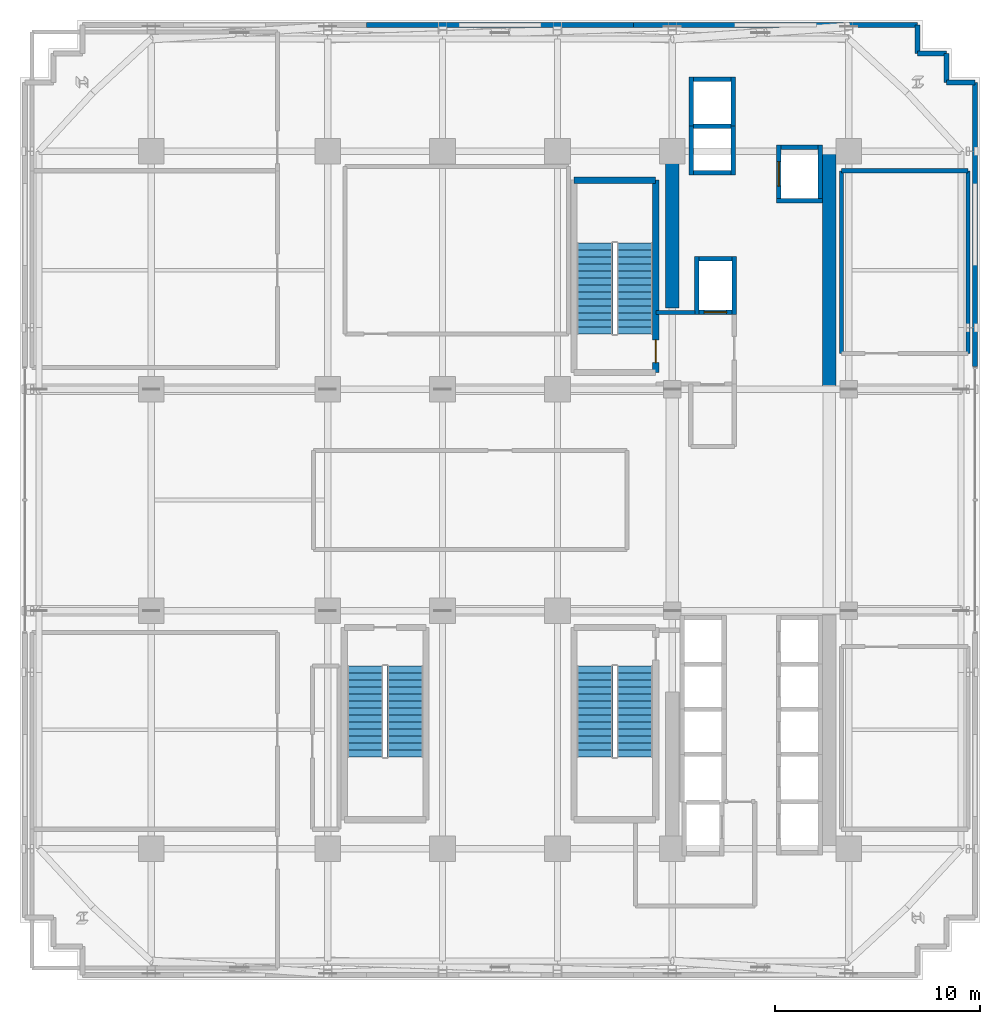
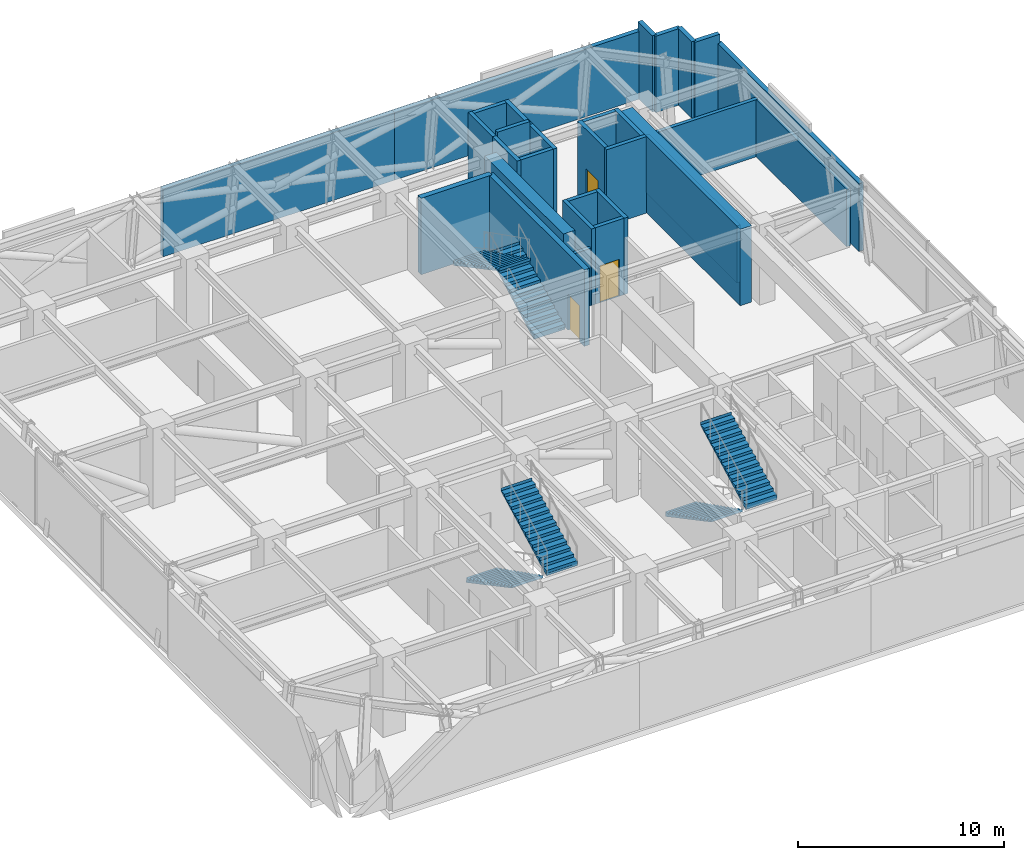
# One storey, part 11 of 15: 30 walls, 6 stair flights, 3 doors, 3 openings, 3 elements without a shape of their own.
"""IFC4 building model written with IfcOpenShell, lengths in metres."""

from ifc_helpers import new_model, si_unit, direction, frame, frame_2d, origin, place, context, subcontext, project, spatial, polyline, rectangle, outline, extrude, source, transform, mapped, material, layer, layer_set, type_object, element, fill, aggregate, save


model = new_model("IFC4")

# Units and contexts
model_context = context("Model", 3, precision=1e-05, world=origin(), true_north=direction((0.0, 1.0)))
body_context = subcontext(model_context, "Body", "Model", "MODEL_VIEW")
ifc_project = project(units=[si_unit("LENGTHUNIT", "METRE"), si_unit("AREAUNIT", "SQUARE_METRE"), si_unit("VOLUMEUNIT", "CUBIC_METRE"), si_unit("PLANEANGLEUNIT", "RADIAN"), si_unit("MASSUNIT", "GRAM", prefix="KILO")], contexts=[model_context])

# Site, building, storey
site_placement = place(None, origin())
site = spatial("IfcSite", under=ifc_project, at=site_placement, CompositionType="ELEMENT")
building_placement = place(site_placement, origin())
building = spatial("IfcBuilding", under=site, at=building_placement, Name="Nahalor Promenade Grand Hotel", CompositionType="ELEMENT")
storey_placement = place(building_placement, frame((0.0, 0.0, 144.199951171875)))
storey = spatial("IfcBuildingStorey", under=building, at=storey_placement, Name="L36", CompositionType="ELEMENT", Elevation=144.199951171875)

# Walls
ifc_material_1 = material(Name="Concrete B-60 (C50/60)", Category="concrete")
ifc_layer_1 = layer(ifc_material_1, 0.64990234375)
ifc_layer_set_1 = layer_set([ifc_layer_1], Name="Concrete B-60 (C50/60)")
wall_type_1 = type_object("IfcWallType", Name="Wall-CoreShear-650", PredefinedType="SHEAR", material=ifc_layer_set_1)
shared_shape_1 = source(origin(), body_context, "Body", "SweptSolid", [
    extrude(rectangle(XDim=7.64990234375, YDim=0.64990234375, at=frame_2d((3.824951171875, 0.0))), origin(), (0.0, 0.0, 1.0), 4.5400390625),
])
wall_1_placement = place(storey_placement, frame((8.39990234375, 9.35009765625, 0.0), z_axis=(0.0, 0.0, 1.0), x_axis=(0.0, 1.0, 0.0)))
element("IfcWall", 1, at=wall_1_placement, inside=storey, type_object=wall_type_1, Name="CWALL-L36-NW", PredefinedType="SHEAR", context=body_context, shape_type="MappedRepresentation", body=[
    mapped(shared_shape_1, transform((0.0, 0.0, 0.0), scale=1.0)),
])
shared_shape_2 = source(origin(), body_context, "Body", "SweptSolid", [
    extrude(rectangle(XDim=11.60009765625, YDim=0.64990234375, at=frame_2d((5.800048828125, 0.0))), origin(), (0.0, 0.0, 1.0), 4.5400390625),
])
wall_2_placement = place(storey_placement, frame((16.050048828125, 5.39990234375, 0.0), z_axis=(0.0, 0.0, 1.0), x_axis=(0.0, 1.0, 0.0)))
element("IfcWall", 2, at=wall_2_placement, inside=storey, type_object=wall_type_1, Name="CWALL-L36-NE", PredefinedType="SHEAR", context=body_context, shape_type="MappedRepresentation", body=[
    mapped(shared_shape_2, transform((0.0, 0.0, 0.0), scale=1.0)),
])
ifc_material_2 = material(Name="Concrete B-50 (C40/50)", Category="concrete")
ifc_layer_2 = layer(ifc_material_2, 0.300048828125)
ifc_layer_set_2 = layer_set([ifc_layer_2], Name="Concrete B-50 (C40/50)")
wall_type_2 = type_object("IfcWallType", Name="Wall-ShaftShear-300", PredefinedType="SHEAR", material=ifc_layer_set_2)
shared_shape_3 = source(origin(), body_context, "Body", "SweptSolid", [
    extrude(rectangle(XDim=3.97998046875, YDim=0.300048828125, at=frame_2d((1.989990234375, 0.0))), origin(), (0.0, 0.0, 1.0), 4.5400390625),
])
wall_3_placement = place(storey_placement, frame((3.610107421875, 15.590087890625, 0.0), z_axis=(0.0, 0.0, 1.0), x_axis=(1.0, 0.0, 0.0)))
element("IfcWall", 3, at=wall_3_placement, inside=storey, type_object=wall_type_2, Name="L36 Exit Stair ST1 Shaft Wall N", PredefinedType="SHEAR", context=body_context, shape_type="MappedRepresentation", body=[
    mapped(shared_shape_3, transform((0.0, 0.0, 0.0), scale=1.0)),
])

# Wall, opening, door
shared_shape_4 = source(origin(), body_context, "Body", "SweptSolid", [
    extrude(rectangle(XDim=9.380126953125, YDim=0.300048828125, at=frame_2d((4.68994140625, 0.0))), origin(), (0.0, 0.0, 1.0), 4.5400390625),
])
wall_4_placement = place(storey_placement, frame((7.590087890625, 6.2099609375, 0.0), z_axis=(0.0, 0.0, 1.0), x_axis=(0.0, 1.0, 0.0)))
wall_4 = element("IfcWall", 4, at=wall_4_placement, inside=storey, type_object=wall_type_2, Name="L36 Exit Stair ST1 Shaft Wall E", PredefinedType="SHEAR", context=body_context, shape_type="MappedRepresentation", body=[
    mapped(shared_shape_4, transform((0.0, 0.0, 0.0), scale=1.0)),
])
opening_1_placement = place(wall_4_placement, frame((0.489990234375, 0.0, 0.0)))
opening_1 = element("IfcOpeningElement", 5, at=opening_1_placement, cuts=wall_4, Name="Opening D-ST1", PredefinedType="OPENING", context=body_context, shape_type="SweptSolid", body=[
    extrude(rectangle(XDim=1.10009765625, YDim=2.14990234375, at=frame_2d((0.550048828125, 1.074951171875))), frame((0.0, 0.159912109375, 0.0), z_axis=(0.0, -1.0, 0.0), x_axis=(1.0, 0.0, 0.0)), (0.0, 0.0, 1.0), 0.320068359375),
])
ifc_material_3 = material(Name="Steel S355JR", Category="steel")
door_type_1 = type_object("IfcDoorType", Name="Door-StairFire-1100", OperationType="NOTDEFINED", PredefinedType="DOOR", material=ifc_material_3)
shared_shape_5 = source(origin(), body_context, "Body", "SweptSolid", [
    extrude(rectangle(XDim=1.10009765625, YDim=2.14990234375, at=frame_2d((0.550048828125, 1.074951171875))), frame((0.0, 0.02490234375, 0.0), z_axis=(0.0, -1.0, 0.0), x_axis=(1.0, 0.0, 0.0)), (0.0, 0.0, 1.0), 0.050048828125),
])
door_1_placement = place(opening_1_placement, origin())
door_1 = element("IfcDoor", 6, at=door_1_placement, inside=storey, type_object=door_type_1, Name="DR-STAIR-ST1-L36", OperationType="SINGLE_SWING_LEFT", OverallHeight=2.14990234375, OverallWidth=1.10009765625, PredefinedType="DOOR", context=body_context, shape_type="MappedRepresentation", body=[
    mapped(shared_shape_5, transform((0.0, 0.0, 0.0), scale=1.0)),
])
fill(opening_1, door_1)

# Walls
ifc_layer_3 = layer(ifc_material_2, 0.219970703125)
ifc_layer_set_3 = layer_set([ifc_layer_3], Name="Concrete B-50 (C40/50)")
wall_type_3 = type_object("IfcWallType", Name="Wall-LiftShaft-220", PredefinedType="SHEAR", material=ifc_layer_set_3)
shared_shape_6 = source(origin(), body_context, "Body", "SweptSolid", [
    extrude(rectangle(XDim=1.820068359375, YDim=0.219970703125, at=frame_2d((0.91015625, 0.0))), origin(), (0.0, 0.0, 1.0), 4.800048828125),
])
wall_5_placement = place(storey_placement, frame((9.43994140625, 18.22509765625, 0.0), z_axis=(0.0, 0.0, 1.0), x_axis=(1.0, 0.0, 0.0)))
element("IfcWall", 7, at=wall_5_placement, inside=storey, type_object=wall_type_3, Name="L36 Lift OB1 Hoistway Wall N", PredefinedType="SHEAR", context=body_context, shape_type="MappedRepresentation", body=[
    mapped(shared_shape_6, transform((0.0, 0.0, 0.0), scale=1.0)),
])
shared_shape_7 = source(origin(), body_context, "Body", "SweptSolid", [
    extrude(rectangle(XDim=1.820068359375, YDim=0.219970703125, at=frame_2d((0.91015625, 0.0))), origin(), (0.0, 0.0, 1.0), 4.5400390625),
])
for number, where, z_axis, x_axis, name in (
    (8, (9.43994140625, 15.949951171875, 0.0), (0.0, 0.0, 1.0), (1.0, 0.0, 0.0), "L36 Lift OB1 Hoistway Wall S"),
    (9, (9.43994140625, 20.5, 0.0), (0.0, 0.0, 1.0), (1.0, 0.0, 0.0), "L36 Lift OB2 Hoistway Wall N"),
    (10, (13.68994140625, 17.199951171875, 0.0), (0.0, 0.0, 1.0), (1.0, 0.0, 0.0), "L36 Lift SV1 Hoistway Wall N"),
):
    element("IfcWall", number, at=place(storey_placement, frame(where, z_axis=z_axis, x_axis=x_axis)), inside=storey, type_object=wall_type_3, Name=name, PredefinedType="SHEAR", context=body_context, shape_type="MappedRepresentation", body=[
        mapped(shared_shape_7, transform((0.0, 0.0, 0.0), scale=1.0)),
    ])
shared_shape_8 = source(origin(), body_context, "Body", "SweptSolid", [
    extrude(rectangle(XDim=2.385009765625, YDim=0.219970703125, at=frame_2d((1.1923828125, 0.0))), origin(), (0.0, 0.0, 1.0), 4.5400390625),
])
for number, where, z_axis, x_axis, name in (
    (11, (9.330078125, 15.840087890625, 0.0), (0.0, 0.0, 1.0), (0.0, 1.0, 0.0), "L36 Lift OB1 Hoistway Wall W"),
    (12, (11.3701171875, 15.840087890625, 0.0), (0.0, 0.0, 1.0), (0.0, 1.0, 0.0), "L36 Lift OB1 Hoistway Wall E"),
    (13, (9.330078125, 18.22509765625, 0.0), (0.0, 0.0, 1.0), (0.0, 1.0, 0.0), "L36 Lift OB2 Hoistway Wall W"),
    (14, (11.3701171875, 18.22509765625, 0.0), (0.0, 0.0, 1.0), (0.0, 1.0, 0.0), "L36 Lift OB2 Hoistway Wall E"),
):
    element("IfcWall", number, at=place(storey_placement, frame(where, z_axis=z_axis, x_axis=x_axis)), inside=storey, type_object=wall_type_3, Name=name, PredefinedType="SHEAR", context=body_context, shape_type="MappedRepresentation", body=[
        mapped(shared_shape_8, transform((0.0, 0.0, 0.0), scale=1.0)),
    ])
shared_shape_9 = source(origin(), body_context, "Body", "SweptSolid", [
    extrude(rectangle(XDim=2.820068359375, YDim=0.219970703125, at=frame_2d((1.41015625, 0.0))), origin(), (0.0, 0.0, 1.0), 4.5400390625),
])
for number, where, z_axis, x_axis, name in (
    (15, (9.580078125, 9.0400390625, 0.0), (0.0, 0.0, 1.0), (0.0, 1.0, 0.0), "L36 Lift FL1 Hoistway Wall W"),
    (16, (11.419921875, 9.0400390625, 0.0), (0.0, 0.0, 1.0), (0.0, 1.0, 0.0), "L36 Lift FL1 Hoistway Wall E"),
):
    element("IfcWall", number, at=place(storey_placement, frame(where, z_axis=z_axis, x_axis=x_axis)), inside=storey, type_object=wall_type_3, Name=name, PredefinedType="SHEAR", context=body_context, shape_type="MappedRepresentation", body=[
        mapped(shared_shape_9, transform((0.0, 0.0, 0.0), scale=1.0)),
    ])

# Wall, opening, door
shared_shape_10 = source(origin(), body_context, "Body", "SweptSolid", [
    extrude(rectangle(XDim=1.6201171875, YDim=0.219970703125, at=frame_2d((0.81005859375, 0.0))), origin(), (0.0, 0.0, 1.0), 4.5400390625),
])
wall_6_placement = place(storey_placement, frame((9.68994140625, 9.14990234375, 0.0), z_axis=(0.0, 0.0, 1.0), x_axis=(1.0, 0.0, 0.0)))
wall_6 = element("IfcWall", 17, at=wall_6_placement, inside=storey, type_object=wall_type_3, Name="L36 Lift FL1 Hoistway Wall S", PredefinedType="SHEAR", context=body_context, shape_type="MappedRepresentation", body=[
    mapped(shared_shape_10, transform((0.0, 0.0, 0.0), scale=1.0)),
])
opening_2_placement = place(wall_6_placement, frame((0.260009765625, 0.0, 0.0)))
opening_2 = element("IfcOpeningElement", 18, at=opening_2_placement, cuts=wall_6, Name="Opening LD-02", PredefinedType="OPENING", context=body_context, shape_type="SweptSolid", body=[
    extrude(rectangle(XDim=1.10009765625, YDim=2.199951171875, at=frame_2d((0.550048828125, 1.10009765625))), frame((0.0, 0.119873046875, 0.0), z_axis=(0.0, -1.0, 0.0), x_axis=(1.0, 0.0, 0.0)), (0.0, 0.0, 1.0), 0.239990234375),
])
door_type_2 = type_object("IfcDoorType", Name="Door-LiftFF-1100", OperationType="DOUBLE_DOOR_SLIDING", PredefinedType="DOOR", material=ifc_material_3)
shared_shape_11 = source(origin(), body_context, "Body", "SweptSolid", [
    extrude(rectangle(XDim=1.10009765625, YDim=2.199951171875, at=frame_2d((0.550048828125, 1.10009765625))), frame((0.0, 0.02490234375, 0.0), z_axis=(0.0, -1.0, 0.0), x_axis=(1.0, 0.0, 0.0)), (0.0, 0.0, 1.0), 0.050048828125),
])
door_2_placement = place(opening_2_placement, frame((1.10009765625, 0.0, 0.0), z_axis=(0.0, 0.0, 1.0), x_axis=(-1.0, 0.0, 0.0)))
door_2 = element("IfcDoor", 19, at=door_2_placement, inside=storey, type_object=door_type_2, Name="DR-LIFT-FL1-L36", OperationType="DOUBLE_DOOR_SLIDING", OverallHeight=2.199951171875, OverallWidth=1.10009765625, PredefinedType="DOOR", context=body_context, shape_type="MappedRepresentation", body=[
    mapped(shared_shape_11, transform((0.0, 0.0, 0.0), scale=1.0)),
])
fill(opening_2, door_2)

# Wall
wall_7_placement = place(storey_placement, frame((9.68994140625, 11.75, 0.0), z_axis=(0.0, 0.0, 1.0), x_axis=(1.0, 0.0, 0.0)))
element("IfcWall", 20, at=wall_7_placement, inside=storey, type_object=wall_type_3, Name="L36 Lift FL1 Hoistway Wall N", PredefinedType="SHEAR", context=body_context, shape_type="MappedRepresentation", body=[
    mapped(shared_shape_10, transform((0.0, 0.0, 0.0), scale=1.0)),
])

# Wall, opening, door
shared_shape_12 = source(origin(), body_context, "Body", "SweptSolid", [
    extrude(rectangle(XDim=2.60009765625, YDim=0.219970703125, at=frame_2d((1.300048828125, 0.0))), origin(), (0.0, 0.0, 1.0), 4.5400390625),
])
wall_8_placement = place(storey_placement, frame((13.580078125, 14.7099609375, 0.0), z_axis=(0.0, 0.0, 1.0), x_axis=(0.0, 1.0, 0.0)))
wall_8 = element("IfcWall", 21, at=wall_8_placement, inside=storey, type_object=wall_type_3, Name="L36 Lift SV1 Hoistway Wall W", PredefinedType="SHEAR", context=body_context, shape_type="MappedRepresentation", body=[
    mapped(shared_shape_12, transform((0.0, 0.0, 0.0), scale=1.0)),
])
opening_3_placement = place(wall_8_placement, frame((0.590087890625, 0.0, 0.0)))
opening_3 = element("IfcOpeningElement", 22, at=opening_3_placement, cuts=wall_8, Name="Opening LD-03", PredefinedType="OPENING", context=body_context, shape_type="SweptSolid", body=[
    extrude(rectangle(XDim=1.199951171875, YDim=2.199951171875, at=frame_2d((0.60009765625, 1.10009765625))), frame((0.0, 0.119873046875, 0.0), z_axis=(0.0, -1.0, 0.0), x_axis=(1.0, 0.0, 0.0)), (0.0, 0.0, 1.0), 0.239990234375),
])
door_type_3 = type_object("IfcDoorType", Name="Door-LiftService-1200", OperationType="DOUBLE_DOOR_SLIDING", PredefinedType="DOOR", material=ifc_material_3)
shared_shape_13 = source(origin(), body_context, "Body", "SweptSolid", [
    extrude(rectangle(XDim=1.199951171875, YDim=2.199951171875, at=frame_2d((0.60009765625, 1.10009765625))), frame((0.0, 0.02490234375, 0.0), z_axis=(0.0, -1.0, 0.0), x_axis=(1.0, 0.0, 0.0)), (0.0, 0.0, 1.0), 0.050048828125),
])
door_3_placement = place(opening_3_placement, origin())
door_3 = element("IfcDoor", 23, at=door_3_placement, inside=storey, type_object=door_type_3, Name="DR-LIFT-SV1-L36", OperationType="DOUBLE_DOOR_SLIDING", OverallHeight=2.199951171875, OverallWidth=1.199951171875, PredefinedType="DOOR", context=body_context, shape_type="MappedRepresentation", body=[
    mapped(shared_shape_13, transform((0.0, 0.0, 0.0), scale=1.0)),
])
fill(opening_3, door_3)

# Walls
wall_9_placement = place(storey_placement, frame((15.6201171875, 14.7099609375, 0.0), z_axis=(0.0, 0.0, 1.0), x_axis=(0.0, 1.0, 0.0)))
element("IfcWall", 24, at=wall_9_placement, inside=storey, type_object=wall_type_3, Name="L36 Lift SV1 Hoistway Wall E", PredefinedType="SHEAR", context=body_context, shape_type="MappedRepresentation", body=[
    mapped(shared_shape_12, transform((0.0, 0.0, 0.0), scale=1.0)),
])
shared_shape_14 = source(origin(), body_context, "Body", "SweptSolid", [
    extrude(rectangle(XDim=2.255126953125, YDim=0.219970703125, at=frame_2d((1.12744140625, 0.0))), origin(), (0.0, 0.0, 1.0), 4.5400390625),
])
wall_10_placement = place(storey_placement, frame((13.469970703125, 14.60009765625, 0.0), z_axis=(0.0, 0.0, 1.0), x_axis=(1.0, 0.0, 0.0)))
element("IfcWall", 25, at=wall_10_placement, inside=storey, type_object=wall_type_3, Name="L36 Lift SV1 Hoistway Wall S", PredefinedType="SHEAR", context=body_context, shape_type="MappedRepresentation", body=[
    mapped(shared_shape_14, transform((0.0, 0.0, 0.0), scale=1.0)),
])
ifc_material_4 = material(Name="Concrete B-40 (C32/40)", Category="concrete")
ifc_layer_4 = layer(ifc_material_4, 0.25)
ifc_layer_set_4 = layer_set([ifc_layer_4], Name="Concrete B-40 (C32/40)")
wall_type_4 = type_object("IfcWallType", Name="Wall-BronzePier-250", PredefinedType="STANDARD", material=ifc_layer_set_4)
shared_shape_15 = source(origin(), body_context, "Body", "SweptSolid", [
    extrude(rectangle(XDim=1.39990234375, YDim=0.25, at=frame_2d((0.699951171875, 0.0))), origin(), (0.0, 0.0, 1.0), 4.5400390625),
])
for number, where, z_axis, x_axis, name in (
    (26, (21.760009765625, 20.360107421875, 0.0), (0.0, 0.0, 1.0), (1.0, 0.0, 0.0), "W-L36-SR-05"),
    (27, (21.760009765625, 20.360107421875, 0.0), (0.0, 0.0, 1.0), (0.0, 1.0, 0.0), "W-L36-SR-06"),
    (28, (20.360107421875, 21.760009765625, 0.0), (0.0, 0.0, 1.0), (1.0, 0.0, 0.0), "W-L36-SR-07"),
    (29, (20.360107421875, 21.760009765625, 0.0), (0.0, 0.0, 1.0), (0.0, 1.0, 0.0), "W-L36-SR-08"),
):
    element("IfcWall", number, at=place(storey_placement, frame(where, z_axis=z_axis, x_axis=x_axis)), inside=storey, type_object=wall_type_4, Name=name, PredefinedType="STANDARD", context=body_context, shape_type="MappedRepresentation", body=[
        mapped(shared_shape_15, transform((0.0, 0.0, 0.0), scale=1.0)),
    ])
shared_shape_16 = source(origin(), body_context, "Body", "SweptSolid", [
    extrude(rectangle(XDim=13.860107421875, YDim=0.25, at=frame_2d((6.93017578125, 0.0))), origin(), (0.0, 0.0, 1.0), 4.02001953125),
])
for number, where, z_axis, x_axis, name in (
    (30, (6.5, 23.159912109375, 0.0), (0.0, 0.0, 1.0), (1.0, 0.0, 0.0), "W-L36-PL-NR"),
    (31, (23.159912109375, 6.5, 0.0), (0.0, 0.0, 1.0), (0.0, 1.0, 0.0), "W-L36-PL-ER"),
):
    element("IfcWall", number, at=place(storey_placement, frame(where, z_axis=z_axis, x_axis=x_axis)), inside=storey, type_object=wall_type_4, Name=name, PredefinedType="STANDARD", context=body_context, shape_type="MappedRepresentation", body=[
        mapped(shared_shape_16, transform((0.0, 0.0, 0.0), scale=1.0)),
    ])
shared_shape_17 = source(origin(), body_context, "Body", "SweptSolid", [
    extrude(rectangle(XDim=13.0, YDim=0.25, at=frame_2d((6.5, 0.0))), origin(), (0.0, 0.0, 1.0), 4.02001953125),
])
wall_11_placement = place(storey_placement, frame((-6.5, 23.159912109375, 0.0), z_axis=(0.0, 0.0, 1.0), x_axis=(1.0, 0.0, 0.0)))
element("IfcWall", 32, at=wall_11_placement, inside=storey, type_object=wall_type_4, Name="W-L36-PL-NM", PredefinedType="STANDARD", context=body_context, shape_type="MappedRepresentation", body=[
    mapped(shared_shape_17, transform((0.0, 0.0, 0.0), scale=1.0)),
])
ifc_layer_5 = layer(ifc_material_4, 0.199951171875)
ifc_layer_set_5 = layer_set([ifc_layer_5], Name="Concrete B-40 (C32/40)")
wall_type_5 = type_object("IfcWallType", Name="Wall-PartFire-200", PredefinedType="PARTITIONING", material=ifc_layer_set_5)
shared_shape_18 = source(origin(), body_context, "Body", "SweptSolid", [
    extrude(rectangle(XDim=1.89990234375, YDim=0.199951171875, at=frame_2d((0.949951171875, 0.0))), origin(), (0.0, 0.0, 1.0), 3.400146484375),
])
wall_12_placement = place(storey_placement, frame((7.60009765625, 9.14990234375, 0.0), z_axis=(0.0, 0.0, 1.0), x_axis=(1.0, 0.0, 0.0)))
element("IfcWall", 33, at=wall_12_placement, inside=storey, type_object=wall_type_5, Name="W-L36-FF1-N", PredefinedType="PARTITIONING", context=body_context, shape_type="MappedRepresentation", body=[
    mapped(shared_shape_18, transform((0.0, 0.0, 0.0), scale=1.0)),
])
shared_shape_19 = source(origin(), body_context, "Body", "SweptSolid", [
    extrude(rectangle(XDim=6.170166015625, YDim=0.199951171875, at=frame_2d((3.0849609375, 0.0))), origin(), (0.0, 0.0, 1.0), 3.400146484375),
])
wall_13_placement = place(storey_placement, frame((16.64990234375, 16.050048828125, 0.0), z_axis=(0.0, 0.0, 1.0), x_axis=(1.0, 0.0, 0.0)))
element("IfcWall", 34, at=wall_13_placement, inside=storey, type_object=wall_type_5, Name="W-L36-MP5-N", PredefinedType="PARTITIONING", context=body_context, shape_type="MappedRepresentation", body=[
    mapped(shared_shape_19, transform((0.0, 0.0, 0.0), scale=1.0)),
])
shared_shape_20 = source(origin(), body_context, "Body", "SweptSolid", [
    extrude(rectangle(XDim=8.900146484375, YDim=0.199951171875, at=frame_2d((4.4501953125, 0.0))), origin(), (0.0, 0.0, 1.0), 3.400146484375),
])
for number, where, z_axis, x_axis, name in (
    (35, (16.64990234375, 7.14990234375, 0.0), (0.0, 0.0, 1.0), (0.0, 1.0, 0.0), "W-L36-MP5-W"),
    (36, (22.820068359375, 7.14990234375, 0.0), (0.0, 0.0, 1.0), (0.0, 1.0, 0.0), "W-L36-MP5-E"),
):
    element("IfcWall", number, at=place(storey_placement, frame(where, z_axis=z_axis, x_axis=x_axis)), inside=storey, type_object=wall_type_5, Name=name, PredefinedType="PARTITIONING", context=body_context, shape_type="MappedRepresentation", body=[
        mapped(shared_shape_20, transform((0.0, 0.0, 0.0), scale=1.0)),
    ])

# Stair, stair flights
stair_type_1 = type_object("IfcStairType", Name="Stair-ST1", PredefinedType="HALF_TURN_STAIR", material=ifc_material_2)
stair_1_placement = place(storey_placement, origin())
stair_1 = element("IfcStair", 37, at=stair_1_placement, inside=storey, type_object=stair_type_1, Name="L36 ST1", PredefinedType="HALF_TURN_STAIR")
ifc_layer_6 = layer(ifc_material_2, 0.179931640625)
ifc_layer_set_6 = layer_set([ifc_layer_6], Name="Concrete B-50 (C40/50)")
stair_flight_type_1 = type_object("IfcStairFlightType", Name="Flight-ST1", PredefinedType="STRAIGHT", material=ifc_layer_set_6)
shared_shape_21 = source(origin(), body_context, "Body", "SweptSolid", [
    extrude(outline(polyline([(-0.00390625, -0.1201171875), (-0.00390625, 0.0), (0.0, 0.0), (0.0, 0.17138671875), (0.340087890625, 0.17138671875), (0.340087890625, 0.3427734375), (0.679931640625, 0.3427734375), (0.679931640625, 0.514404296875), (1.02001953125, 0.514404296875), (1.02001953125, 0.685791015625), (1.360107421875, 0.685791015625), (1.360107421875, 0.857177734375), (1.699951171875, 0.857177734375), (1.699951171875, 1.028564453125), (2.0400390625, 1.028564453125), (2.0400390625, 1.199951171875), (2.3798828125, 1.199951171875), (2.3798828125, 1.371337890625), (2.719970703125, 1.371337890625), (2.719970703125, 1.54296875), (3.06005859375, 1.54296875), (3.06005859375, 1.71435546875), (3.39990234375, 1.71435546875), (3.39990234375, 1.8857421875), (3.739990234375, 1.8857421875), (3.739990234375, 2.05712890625), (4.080078125, 2.05712890625), (4.080078125, 2.228515625), (4.419921875, 2.228515625), (4.419921875, 2.39990234375), (4.424072265625, 2.39990234375), (4.424072265625, 2.219970703125), (0.02001953125, -0.1201171875), (-0.00390625, -0.1201171875)])), frame((0.0, 0.875, 0.0), z_axis=(0.0, -1.0, 0.0), x_axis=(1.0, 0.0, 0.0)), (0.0, 0.0, 1.0), 1.75),
])
stair_flight_1_placement = place(storey_placement, frame((6.574951171875, 8.10009765625, 0.0), z_axis=(0.0, 0.0, 1.0), x_axis=(0.0, 1.0, 0.0)))
stair_flight_1 = element("IfcStairFlight", 38, at=stair_flight_1_placement, type_object=stair_flight_type_1, Name="ST1 flight 1", NumberOfRisers=14, NumberOfTreads=13, PredefinedType="STRAIGHT", RiserHeight=0.171428571, TreadLength=0.34, context=body_context, shape_type="MappedRepresentation", body=[
    mapped(shared_shape_21, transform((0.0, 0.0, 0.0), scale=1.0)),
])
stair_flight_2_placement = place(storey_placement, frame((4.625, 12.52001953125, 2.400146484375), z_axis=(0.0, 0.0, 1.0), x_axis=(0.0, -1.0, 0.0)))
stair_flight_2 = element("IfcStairFlight", 39, at=stair_flight_2_placement, type_object=stair_flight_type_1, Name="ST1 flight 2", NumberOfRisers=14, NumberOfTreads=13, PredefinedType="STRAIGHT", RiserHeight=0.171428571, TreadLength=0.34, context=body_context, shape_type="MappedRepresentation", body=[
    mapped(shared_shape_21, transform((0.0, 0.0, 0.0), scale=1.0)),
])
aggregate(stair_1, [stair_flight_1, stair_flight_2])

stair_type_2 = type_object("IfcStairType", Name="Stair-ST2", PredefinedType="HALF_TURN_STAIR", material=ifc_material_2)
stair_2_placement = place(storey_placement, origin())
stair_2 = element("IfcStair", 40, at=stair_2_placement, inside=storey, type_object=stair_type_2, Name="L36 ST2", PredefinedType="HALF_TURN_STAIR")
ifc_layer_7 = layer(ifc_material_2, 0.18994140625)
ifc_layer_set_7 = layer_set([ifc_layer_7], Name="Concrete B-50 (C40/50)")
stair_flight_type_2 = type_object("IfcStairFlightType", Name="Flight-ST2", PredefinedType="STRAIGHT", material=ifc_layer_set_7)
shared_shape_22 = source(origin(), body_context, "Body", "SweptSolid", [
    extrude(outline(polyline([(-0.00390625, -0.1201171875), (-0.00390625, 0.0), (0.0, 0.0), (0.0, 0.17138671875), (0.340087890625, 0.17138671875), (0.340087890625, 0.3427734375), (0.679931640625, 0.3427734375), (0.679931640625, 0.514404296875), (1.02001953125, 0.514404296875), (1.02001953125, 0.685791015625), (1.360107421875, 0.685791015625), (1.360107421875, 0.857177734375), (1.699951171875, 0.857177734375), (1.699951171875, 1.028564453125), (2.0400390625, 1.028564453125), (2.0400390625, 1.199951171875), (2.3798828125, 1.199951171875), (2.3798828125, 1.371337890625), (2.719970703125, 1.371337890625), (2.719970703125, 1.54296875), (3.06005859375, 1.54296875), (3.06005859375, 1.71435546875), (3.39990234375, 1.71435546875), (3.39990234375, 1.8857421875), (3.739990234375, 1.8857421875), (3.739990234375, 2.05712890625), (4.080078125, 2.05712890625), (4.080078125, 2.228515625), (4.419921875, 2.228515625), (4.419921875, 2.39990234375), (4.424072265625, 2.39990234375), (4.424072265625, 2.219970703125), (0.02001953125, -0.1201171875), (-0.00390625, -0.1201171875)])), frame((0.0, 0.875, 0.0), z_axis=(0.0, -1.0, 0.0), x_axis=(1.0, 0.0, 0.0)), (0.0, 0.0, 1.0), 1.75),
])
stair_flight_3_placement = place(storey_placement, frame((4.625, -8.10009765625, 0.0), z_axis=(0.0, 0.0, 1.0), x_axis=(0.0, -1.0, 0.0)))
stair_flight_3 = element("IfcStairFlight", 41, at=stair_flight_3_placement, type_object=stair_flight_type_2, Name="ST2 flight 1", NumberOfRisers=14, NumberOfTreads=13, PredefinedType="STRAIGHT", RiserHeight=0.171428571, TreadLength=0.34, context=body_context, shape_type="MappedRepresentation", body=[
    mapped(shared_shape_22, transform((0.0, 0.0, 0.0), scale=1.0)),
])
stair_flight_4_placement = place(storey_placement, frame((6.574951171875, -12.52001953125, 2.400146484375), z_axis=(0.0, 0.0, 1.0), x_axis=(0.0, 1.0, 0.0)))
stair_flight_4 = element("IfcStairFlight", 42, at=stair_flight_4_placement, type_object=stair_flight_type_2, Name="ST2 flight 2", NumberOfRisers=14, NumberOfTreads=13, PredefinedType="STRAIGHT", RiserHeight=0.171428571, TreadLength=0.34, context=body_context, shape_type="MappedRepresentation", body=[
    mapped(shared_shape_22, transform((0.0, 0.0, 0.0), scale=1.0)),
])
aggregate(stair_2, [stair_flight_3, stair_flight_4])

stair_type_3 = type_object("IfcStairType", Name="Stair-ST3", PredefinedType="HALF_TURN_STAIR", material=ifc_material_2)
stair_3_placement = place(storey_placement, origin())
stair_3 = element("IfcStair", 43, at=stair_3_placement, inside=storey, type_object=stair_type_3, Name="L36 ST3", PredefinedType="HALF_TURN_STAIR")
ifc_layer_8 = layer(ifc_material_2, 0.199951171875)
ifc_layer_set_8 = layer_set([ifc_layer_8], Name="Concrete B-50 (C40/50)")
stair_flight_type_3 = type_object("IfcStairFlightType", Name="Flight-ST3", PredefinedType="STRAIGHT", material=ifc_layer_set_8)
shared_shape_23 = source(origin(), body_context, "Body", "SweptSolid", [
    extrude(outline(polyline([(-0.00390625, -0.1201171875), (-0.00390625, 0.0), (0.0, 0.0), (0.0, 0.17138671875), (0.340087890625, 0.17138671875), (0.340087890625, 0.3427734375), (0.679931640625, 0.3427734375), (0.679931640625, 0.514404296875), (1.02001953125, 0.514404296875), (1.02001953125, 0.685791015625), (1.360107421875, 0.685791015625), (1.360107421875, 0.857177734375), (1.699951171875, 0.857177734375), (1.699951171875, 1.028564453125), (2.0400390625, 1.028564453125), (2.0400390625, 1.199951171875), (2.3798828125, 1.199951171875), (2.3798828125, 1.371337890625), (2.719970703125, 1.371337890625), (2.719970703125, 1.54296875), (3.06005859375, 1.54296875), (3.06005859375, 1.71435546875), (3.39990234375, 1.71435546875), (3.39990234375, 1.8857421875), (3.739990234375, 1.8857421875), (3.739990234375, 2.05712890625), (4.080078125, 2.05712890625), (4.080078125, 2.228515625), (4.419921875, 2.228515625), (4.419921875, 2.39990234375), (4.424072265625, 2.39990234375), (4.424072265625, 2.219970703125), (0.02001953125, -0.1201171875), (-0.00390625, -0.1201171875)])), frame((0.0, 0.875, 0.0), z_axis=(0.0, -1.0, 0.0), x_axis=(1.0, 0.0, 0.0)), (0.0, 0.0, 1.0), 1.75),
])
stair_flight_5_placement = place(storey_placement, frame((-6.574951171875, -8.10009765625, 0.0), z_axis=(0.0, 0.0, 1.0), x_axis=(0.0, -1.0, 0.0)))
stair_flight_5 = element("IfcStairFlight", 44, at=stair_flight_5_placement, type_object=stair_flight_type_3, Name="ST3 flight 1", NumberOfRisers=14, NumberOfTreads=13, PredefinedType="STRAIGHT", RiserHeight=0.171428571, TreadLength=0.34, context=body_context, shape_type="MappedRepresentation", body=[
    mapped(shared_shape_23, transform((0.0, 0.0, 0.0), scale=1.0)),
])
stair_flight_6_placement = place(storey_placement, frame((-4.625, -12.52001953125, 2.400146484375), z_axis=(0.0, 0.0, 1.0), x_axis=(0.0, 1.0, 0.0)))
stair_flight_6 = element("IfcStairFlight", 45, at=stair_flight_6_placement, type_object=stair_flight_type_3, Name="ST3 flight 2", NumberOfRisers=14, NumberOfTreads=13, PredefinedType="STRAIGHT", RiserHeight=0.171428571, TreadLength=0.34, context=body_context, shape_type="MappedRepresentation", body=[
    mapped(shared_shape_23, transform((0.0, 0.0, 0.0), scale=1.0)),
])
aggregate(stair_3, [stair_flight_5, stair_flight_6])

save(model, "model.ifc")
